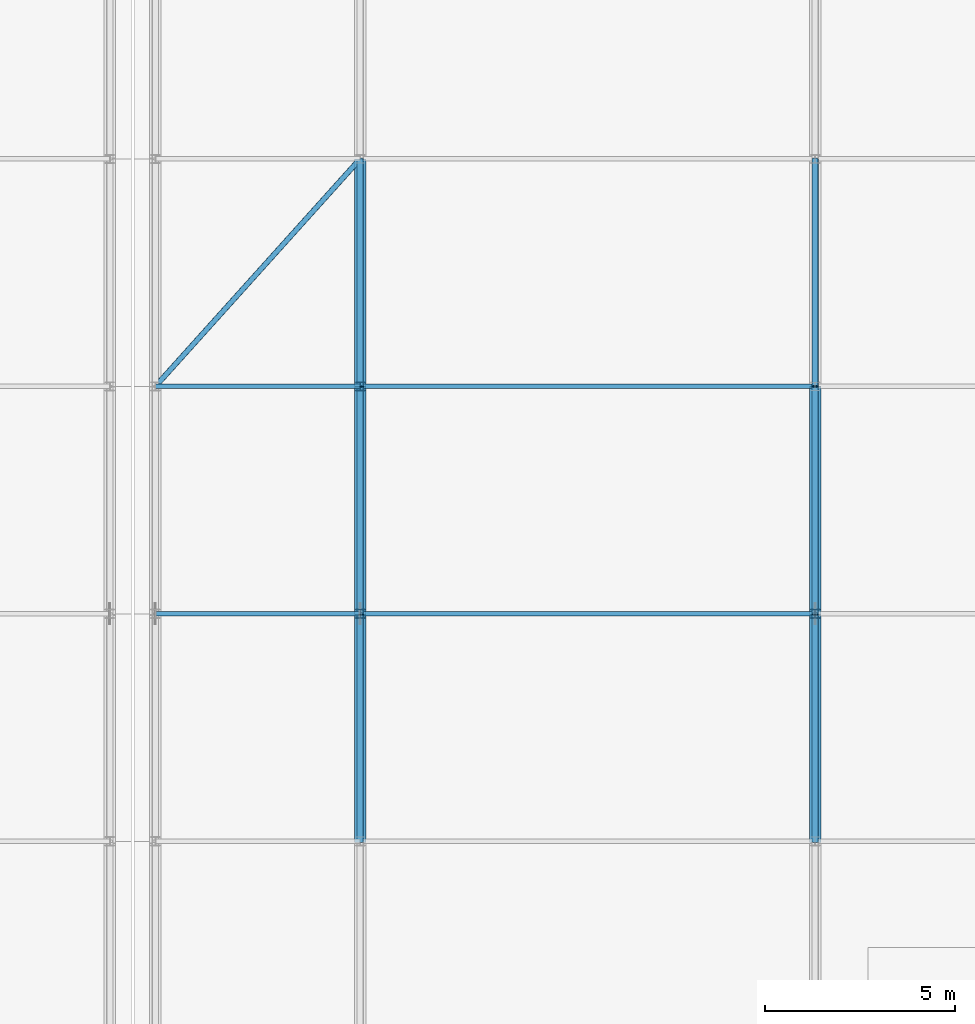
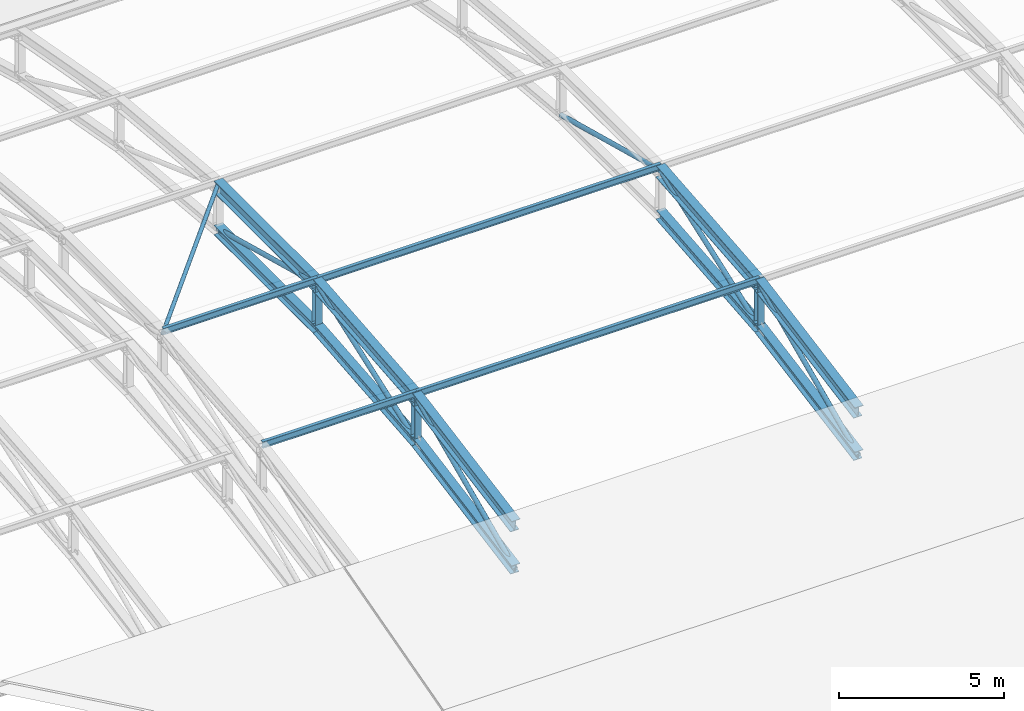
# One storey, part 92 of 204: 24 members.
"""IFC4 building model written with IfcOpenShell, lengths in metres."""

from ifc_helpers import new_model, si_unit, direction, frame, origin, origin_2d, place, context, subcontext, project, spatial, hollow_circle, i_section, extrude, material, material_profile, profile_set, type_object, element, save


model = new_model("IFC4")

# Units and contexts
model_context = context("Model", 3, precision=1e-05, world=origin(), true_north=direction((0.0, 1.0)))
body_context = subcontext(model_context, "Body", "Model", "MODEL_VIEW")
ifc_project = project(units=[si_unit("LENGTHUNIT", "METRE"), si_unit("AREAUNIT", "SQUARE_METRE"), si_unit("VOLUMEUNIT", "CUBIC_METRE"), si_unit("PLANEANGLEUNIT", "RADIAN"), si_unit("MASSUNIT", "GRAM", prefix="KILO")], contexts=[model_context])

# Site, building, storey
site_placement = place(None, origin())
site = spatial("IfcSite", under=ifc_project, at=site_placement, CompositionType="ELEMENT")
building_placement = place(site_placement, origin())
building = spatial("IfcBuilding", under=site, at=building_placement, Name="Zilviju Railside Exhibition Hall", CompositionType="ELEMENT")
storey_placement = place(building_placement, frame((0.0, 0.0, 21.0)))
storey = spatial("IfcBuildingStorey", under=building, at=storey_placement, Name="RF", CompositionType="ELEMENT", Elevation=21.0)

# Members
ifc_material = material(Name="Steel S355J2", Category="steel")
ifc_material_profile_1 = material_profile(ifc_material, hollow_circle(Radius=0.06982421875, WallThickness=0.00634765625, at=origin_2d()), Name="CHS 139.7x6.3")
ifc_profile_set_1 = profile_set([ifc_material_profile_1], Name="Steel S355J2")
member_type_1 = type_object("IfcMemberType", Name="TR-BR-CHS139", PredefinedType="BRACE", material=ifc_profile_set_1)
member_1_placement = place(storey_placement, frame((126.60009765625, 24.0, -0.604248046875), z_axis=(0.668958047626, 0.743300161789, 0.0), x_axis=(-0.743300161789, 0.668958047626, 0.0)))
element("IfcMember", 1, at=member_1_placement, inside=storey, type_object=member_type_1, Name="V1 Roof Wind Brace (126.6..132.0)", PredefinedType="BRACE", context=body_context, shape_type="SweptSolid", body=[
    extrude(hollow_circle(Radius=0.06982421875, WallThickness=0.00634765625, at=origin_2d()), origin(), (0.0, 0.0, 1.0), 8.072021484375),
])
ifc_material_profile_2 = material_profile(ifc_material, hollow_circle(Radius=0.084228515625, WallThickness=0.008056640625, at=origin_2d()), Name="CHS 168.3x8.0")
ifc_profile_set_2 = profile_set([ifc_material_profile_2], Name="Steel S355J2")
member_type_2 = type_object("IfcMemberType", Name="TR-BR-CHS168", PredefinedType="BRACE", material=ifc_profile_set_2)
member_2_placement = place(storey_placement, frame((132.0, 12.0, -3.928466796875), z_axis=(0.0, 0.911563042822, 0.411160332425), x_axis=(-1.0, 0.0, 0.0)))
element("IfcMember", 2, at=member_2_placement, inside=storey, type_object=member_type_2, Name="V1 Parabolic Arch Web Diagonal X=132.0 P3", PredefinedType="BRACE", context=body_context, shape_type="SweptSolid", body=[
    extrude(hollow_circle(Radius=0.084228515625, WallThickness=0.008056640625, at=origin_2d()), origin(), (0.0, 0.0, 1.0), 6.58203125),
])
member_3_placement = place(storey_placement, frame((132.0, 18.0, -2.822265625), z_axis=(0.0, 0.94123307508, 0.337757751023), x_axis=(-1.0, 0.0, 0.0)))
element("IfcMember", 3, at=member_3_placement, inside=storey, type_object=member_type_2, Name="V1 Parabolic Arch Web Diagonal X=132.0 P4", PredefinedType="BRACE", context=body_context, shape_type="SweptSolid", body=[
    extrude(hollow_circle(Radius=0.084228515625, WallThickness=0.008056640625, at=origin_2d()), origin(), (0.0, 0.0, 1.0), 6.37451171875),
])
member_4_placement = place(storey_placement, frame((132.0, 24.0, -0.669189453125), z_axis=(0.0, 0.966240812345, -0.257640626762), x_axis=(-1.0, 0.0, 0.0)))
element("IfcMember", 4, at=member_4_placement, inside=storey, type_object=member_type_2, Name="V1 Parabolic Arch Web Diagonal X=132.0 P5", PredefinedType="BRACE", context=body_context, shape_type="SweptSolid", body=[
    extrude(hollow_circle(Radius=0.084228515625, WallThickness=0.008056640625, at=origin_2d()), origin(), (0.0, 0.0, 1.0), 6.209716796875),
])
member_5_placement = place(storey_placement, frame((144.0, 12.0, -3.928466796875), z_axis=(0.0, 0.911563042822, 0.411160332425), x_axis=(-1.0, 0.0, 0.0)))
element("IfcMember", 5, at=member_5_placement, inside=storey, type_object=member_type_2, Name="V1 Parabolic Arch Web Diagonal X=144.0 P3", PredefinedType="BRACE", context=body_context, shape_type="SweptSolid", body=[
    extrude(hollow_circle(Radius=0.084228515625, WallThickness=0.008056640625, at=origin_2d()), origin(), (0.0, 0.0, 1.0), 6.58203125),
])
member_6_placement = place(storey_placement, frame((144.0, 18.0, -2.822265625), z_axis=(0.0, 0.94123307508, 0.337757751023), x_axis=(-1.0, 0.0, 0.0)))
element("IfcMember", 6, at=member_6_placement, inside=storey, type_object=member_type_2, Name="V1 Parabolic Arch Web Diagonal X=144.0 P4", PredefinedType="BRACE", context=body_context, shape_type="SweptSolid", body=[
    extrude(hollow_circle(Radius=0.084228515625, WallThickness=0.008056640625, at=origin_2d()), origin(), (0.0, 0.0, 1.0), 6.37451171875),
])
member_7_placement = place(storey_placement, frame((144.0, 24.0, -0.669189453125), z_axis=(0.0, 0.966240812345, -0.257640626762), x_axis=(-1.0, 0.0, 0.0)))
element("IfcMember", 7, at=member_7_placement, inside=storey, type_object=member_type_2, Name="V1 Parabolic Arch Web Diagonal X=144.0 P5", PredefinedType="BRACE", context=body_context, shape_type="SweptSolid", body=[
    extrude(hollow_circle(Radius=0.084228515625, WallThickness=0.008056640625, at=origin_2d()), origin(), (0.0, 0.0, 1.0), 6.209716796875),
])
ifc_material_profile_3 = material_profile(ifc_material, i_section(OverallWidth=0.300048828125, OverallDepth=0.360107421875, WebThickness=0.012451171875, FlangeThickness=0.0224609375, at=origin_2d()), Name="HEB 360")
ifc_profile_set_3 = profile_set([ifc_material_profile_3], Name="Steel S355J2")
member_type_3 = type_object("IfcMemberType", Name="TR-CH-HEB360", PredefinedType="CHORD", material=ifc_profile_set_3)
member_8_placement = place(storey_placement, frame((132.0, 12.0, -3.928466796875), z_axis=(0.0, 0.98342578549, 0.18131112606), x_axis=(-1.0, 0.0, 0.0)))
element("IfcMember", 8, at=member_8_placement, inside=storey, type_object=member_type_3, Name="V1 Parabolic Arch Bottom Chord X=132.0 P3", PredefinedType="CHORD", context=body_context, shape_type="SweptSolid", body=[
    extrude(i_section(OverallWidth=0.300048828125, OverallDepth=0.360107421875, WebThickness=0.012451171875, FlangeThickness=0.0224609375, at=origin_2d()), origin(), (0.0, 0.0, 1.0), 6.10107421875),
])
member_9_placement = place(storey_placement, frame((132.0, 18.0, -2.822265625), z_axis=(0.0, 0.995776144786, 0.091814320641), x_axis=(-1.0, 0.0, 0.0)))
element("IfcMember", 9, at=member_9_placement, inside=storey, type_object=member_type_3, Name="V1 Parabolic Arch Bottom Chord X=132.0 P4", PredefinedType="CHORD", context=body_context, shape_type="SweptSolid", body=[
    extrude(i_section(OverallWidth=0.300048828125, OverallDepth=0.360107421875, WebThickness=0.012451171875, FlangeThickness=0.0224609375, at=origin_2d()), origin(), (0.0, 0.0, 1.0), 6.025390625),
])
member_10_placement = place(storey_placement, frame((132.0, 24.0, -2.26904296875), z_axis=(0.0, 1.0, 0.0), x_axis=(-1.0, 0.0, 0.0)))
element("IfcMember", 10, at=member_10_placement, inside=storey, type_object=member_type_3, Name="V1 Parabolic Arch Bottom Chord X=132.0 P5", PredefinedType="CHORD", context=body_context, shape_type="SweptSolid", body=[
    extrude(i_section(OverallWidth=0.300048828125, OverallDepth=0.360107421875, WebThickness=0.012451171875, FlangeThickness=0.0224609375, at=origin_2d()), origin(), (0.0, 0.0, 1.0), 6.0),
])
member_11_placement = place(storey_placement, frame((144.0, 12.0, -3.928466796875), z_axis=(0.0, 0.98342578549, 0.18131112606), x_axis=(-1.0, 0.0, 0.0)))
element("IfcMember", 11, at=member_11_placement, inside=storey, type_object=member_type_3, Name="V1 Parabolic Arch Bottom Chord X=144.0 P3", PredefinedType="CHORD", context=body_context, shape_type="SweptSolid", body=[
    extrude(i_section(OverallWidth=0.300048828125, OverallDepth=0.360107421875, WebThickness=0.012451171875, FlangeThickness=0.0224609375, at=origin_2d()), origin(), (0.0, 0.0, 1.0), 6.10107421875),
])
member_12_placement = place(storey_placement, frame((144.0, 18.0, -2.822265625), z_axis=(0.0, 0.995776144786, 0.091814320641), x_axis=(-1.0, 0.0, 0.0)))
element("IfcMember", 12, at=member_12_placement, inside=storey, type_object=member_type_3, Name="V1 Parabolic Arch Bottom Chord X=144.0 P4", PredefinedType="CHORD", context=body_context, shape_type="SweptSolid", body=[
    extrude(i_section(OverallWidth=0.300048828125, OverallDepth=0.360107421875, WebThickness=0.012451171875, FlangeThickness=0.0224609375, at=origin_2d()), origin(), (0.0, 0.0, 1.0), 6.025390625),
])
ifc_material_profile_4 = material_profile(ifc_material, i_section(OverallWidth=0.300048828125, OverallDepth=0.449951171875, WebThickness=0.013916015625, FlangeThickness=0.02587890625, at=origin_2d()), Name="HEB 450")
ifc_profile_set_4 = profile_set([ifc_material_profile_4], Name="Steel S355J2")
member_type_4 = type_object("IfcMemberType", Name="TR-CH-HEB450", PredefinedType="CHORD", material=ifc_profile_set_4)
member_13_placement = place(storey_placement, frame((132.0, 12.0, -2.328369140625), z_axis=(0.0, 0.98342578549, 0.18131112606), x_axis=(-1.0, 0.0, 0.0)))
element("IfcMember", 13, at=member_13_placement, inside=storey, type_object=member_type_4, Name="V1 Parabolic Arch Top Chord X=132.0 P3", PredefinedType="CHORD", context=body_context, shape_type="SweptSolid", body=[
    extrude(i_section(OverallWidth=0.300048828125, OverallDepth=0.449951171875, WebThickness=0.013916015625, FlangeThickness=0.02587890625, at=origin_2d()), origin(), (0.0, 0.0, 1.0), 6.10107421875),
])
member_14_placement = place(storey_placement, frame((132.0, 18.0, -1.22216796875), z_axis=(0.0, 0.99577984843, 0.091774143746), x_axis=(-1.0, 0.0, 0.0)))
element("IfcMember", 14, at=member_14_placement, inside=storey, type_object=member_type_4, Name="V1 Parabolic Arch Top Chord X=132.0 P4", PredefinedType="CHORD", context=body_context, shape_type="SweptSolid", body=[
    extrude(i_section(OverallWidth=0.300048828125, OverallDepth=0.449951171875, WebThickness=0.013916015625, FlangeThickness=0.02587890625, at=origin_2d()), origin(), (0.0, 0.0, 1.0), 6.025390625),
])
member_15_placement = place(storey_placement, frame((132.0, 24.0, -0.669189453125), z_axis=(0.0, 1.0, 0.0), x_axis=(-1.0, 0.0, 0.0)))
element("IfcMember", 15, at=member_15_placement, inside=storey, type_object=member_type_4, Name="V1 Parabolic Arch Top Chord X=132.0 P5", PredefinedType="CHORD", context=body_context, shape_type="SweptSolid", body=[
    extrude(i_section(OverallWidth=0.300048828125, OverallDepth=0.449951171875, WebThickness=0.013916015625, FlangeThickness=0.02587890625, at=origin_2d()), origin(), (0.0, 0.0, 1.0), 6.0),
])
member_16_placement = place(storey_placement, frame((144.0, 12.0, -2.328369140625), z_axis=(0.0, 0.98342578549, 0.18131112606), x_axis=(-1.0, 0.0, 0.0)))
element("IfcMember", 16, at=member_16_placement, inside=storey, type_object=member_type_4, Name="V1 Parabolic Arch Top Chord X=144.0 P3", PredefinedType="CHORD", context=body_context, shape_type="SweptSolid", body=[
    extrude(i_section(OverallWidth=0.300048828125, OverallDepth=0.449951171875, WebThickness=0.013916015625, FlangeThickness=0.02587890625, at=origin_2d()), origin(), (0.0, 0.0, 1.0), 6.10107421875),
])
member_17_placement = place(storey_placement, frame((144.0, 18.0, -1.22216796875), z_axis=(0.0, 0.99577984843, 0.091774143746), x_axis=(-1.0, 0.0, 0.0)))
element("IfcMember", 17, at=member_17_placement, inside=storey, type_object=member_type_4, Name="V1 Parabolic Arch Top Chord X=144.0 P4", PredefinedType="CHORD", context=body_context, shape_type="SweptSolid", body=[
    extrude(i_section(OverallWidth=0.300048828125, OverallDepth=0.449951171875, WebThickness=0.013916015625, FlangeThickness=0.02587890625, at=origin_2d()), origin(), (0.0, 0.0, 1.0), 6.025390625),
])
ifc_material_profile_5 = material_profile(ifc_material, i_section(OverallWidth=0.239990234375, OverallDepth=0.22998046875, WebThickness=0.007568359375, FlangeThickness=0.011962890625, at=origin_2d()), Name="HEA 240")
ifc_profile_set_5 = profile_set([ifc_material_profile_5], Name="Steel S355J2")
member_type_5 = type_object("IfcMemberType", Name="TR-POST-HEA240", PredefinedType="POST", material=ifc_profile_set_5)
member_18_placement = place(storey_placement, frame((132.0, 18.0, -2.822265625), z_axis=(0.0, 0.0, 1.0), x_axis=(1.0, 0.0, 0.0)))
element("IfcMember", 18, at=member_18_placement, inside=storey, type_object=member_type_5, Name="V1 Parabolic Arch Web Post X=132.0 N3", PredefinedType="POST", context=body_context, shape_type="SweptSolid", body=[
    extrude(i_section(OverallWidth=0.239990234375, OverallDepth=0.22998046875, WebThickness=0.007568359375, FlangeThickness=0.011962890625, at=origin_2d()), origin(), (0.0, 0.0, 1.0), 1.60009765625),
])
member_19_placement = place(storey_placement, frame((132.0, 24.0, -2.26904296875), z_axis=(0.0, 0.0, 1.0), x_axis=(1.0, 0.0, 0.0)))
element("IfcMember", 19, at=member_19_placement, inside=storey, type_object=member_type_5, Name="V1 Parabolic Arch Web Post X=132.0 N4", PredefinedType="POST", context=body_context, shape_type="SweptSolid", body=[
    extrude(i_section(OverallWidth=0.239990234375, OverallDepth=0.22998046875, WebThickness=0.007568359375, FlangeThickness=0.011962890625, at=origin_2d()), origin(), (0.0, 0.0, 1.0), 1.599853515625),
])
member_20_placement = place(storey_placement, frame((144.0, 18.0, -2.822265625), z_axis=(0.0, 0.0, 1.0), x_axis=(1.0, 0.0, 0.0)))
element("IfcMember", 20, at=member_20_placement, inside=storey, type_object=member_type_5, Name="V1 Parabolic Arch Web Post X=144.0 N3", PredefinedType="POST", context=body_context, shape_type="SweptSolid", body=[
    extrude(i_section(OverallWidth=0.239990234375, OverallDepth=0.22998046875, WebThickness=0.007568359375, FlangeThickness=0.011962890625, at=origin_2d()), origin(), (0.0, 0.0, 1.0), 1.60009765625),
])
ifc_material_profile_6 = material_profile(ifc_material, i_section(OverallWidth=0.1201171875, OverallDepth=0.239990234375, WebThickness=0.006103515625, FlangeThickness=0.009765625, at=origin_2d()), Name="IPE 240")
ifc_profile_set_6 = profile_set([ifc_material_profile_6], Name="Steel S355J2")
member_type_6 = type_object("IfcMemberType", Name="TR-PUR-IPE240", PredefinedType="PURLIN", material=ifc_profile_set_6)
for number, where, z_axis, x_axis, name in (
    (21, (126.60009765625, 18.0, -1.0771484375), (1.0, 0.0, 0.0), (0.0, 1.0, 0.0), "V1 Barrel Vault Roof Purlin Y=18.0 (126.6..132.0)"),
    (22, (126.60009765625, 24.0, -0.515625), (1.0, 0.0, 0.0), (0.0, 1.0, 0.0), "V1 Barrel Vault Roof Purlin Y=24.0 (126.6..132.0)"),
):
    element("IfcMember", number, at=place(storey_placement, frame(where, z_axis=z_axis, x_axis=x_axis)), inside=storey, type_object=member_type_6, Name=name, PredefinedType="PURLIN", context=body_context, shape_type="SweptSolid", body=[
        extrude(i_section(OverallWidth=0.1201171875, OverallDepth=0.239990234375, WebThickness=0.006103515625, FlangeThickness=0.009765625, at=origin_2d()), origin(), (0.0, 0.0, 1.0), 5.39990234375),
    ])
for number, where, z_axis, x_axis, name in (
    (23, (132.0, 18.0, -1.0771484375), (1.0, 0.0, 0.0), (0.0, 1.0, 0.0), "V1 Barrel Vault Roof Purlin Y=18.0 (132.0..144.0)"),
    (24, (132.0, 24.0, -0.515625), (1.0, 0.0, 0.0), (0.0, 1.0, 0.0), "V1 Barrel Vault Roof Purlin Y=24.0 (132.0..144.0)"),
):
    element("IfcMember", number, at=place(storey_placement, frame(where, z_axis=z_axis, x_axis=x_axis)), inside=storey, type_object=member_type_6, Name=name, PredefinedType="PURLIN", context=body_context, shape_type="SweptSolid", body=[
        extrude(i_section(OverallWidth=0.1201171875, OverallDepth=0.239990234375, WebThickness=0.006103515625, FlangeThickness=0.009765625, at=origin_2d()), origin(), (0.0, 0.0, 1.0), 12.0),
    ])

save(model, "model.ifc")
